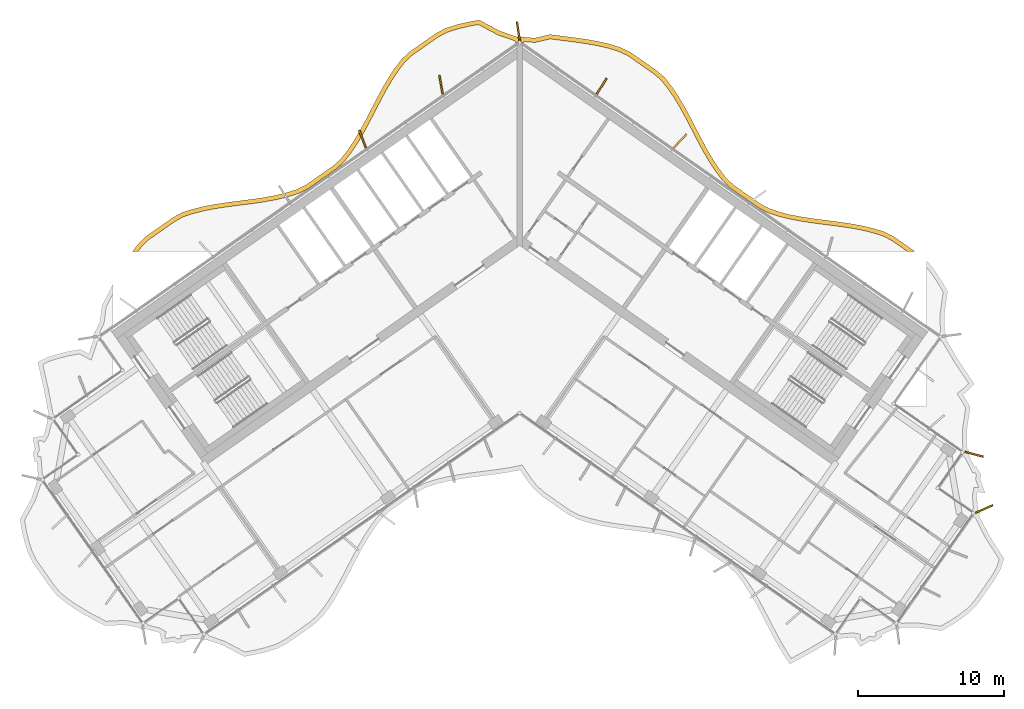
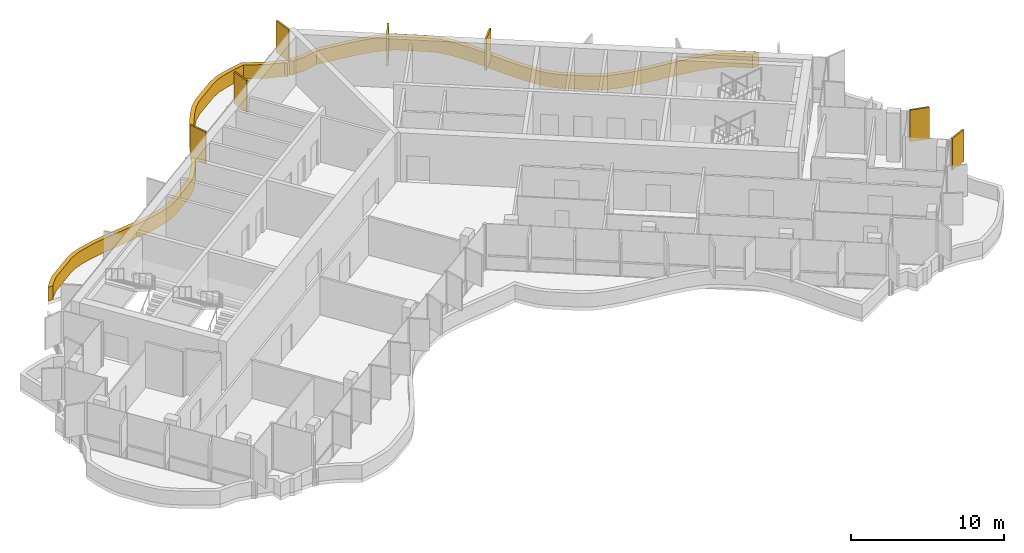
# One storey, part 18 of 18: 8 shading devices.
"""IFC4 building model written with IfcOpenShell, lengths in metres."""

from ifc_helpers import new_model, si_unit, direction, frame, origin, origin_2d, place, context, subcontext, project, spatial, polyline, rectangle, outline, extrude, material, layer, layer_set, type_object, element, save


model = new_model("IFC4")

# Units and contexts
model_context = context("Model", 3, precision=1e-05, world=origin(), true_north=direction((0.0, 1.0)))
body_context = subcontext(model_context, "Body", "Model", "MODEL_VIEW")
ifc_project = project(units=[si_unit("LENGTHUNIT", "METRE"), si_unit("AREAUNIT", "SQUARE_METRE"), si_unit("VOLUMEUNIT", "CUBIC_METRE"), si_unit("PLANEANGLEUNIT", "RADIAN"), si_unit("MASSUNIT", "GRAM", prefix="KILO")], contexts=[model_context])

# Site, building, storey
site_placement = place(None, origin())
site = spatial("IfcSite", under=ifc_project, at=site_placement, CompositionType="ELEMENT")
building_placement = place(site_placement, origin())
building = spatial("IfcBuilding", under=site, at=building_placement, Name="Tel Ilan Convention Tower", CompositionType="ELEMENT")
storey_placement = place(building_placement, frame((0.0, 0.0, 252.699951171875)))
storey = spatial("IfcBuildingStorey", under=building, at=storey_placement, Name="L59", CompositionType="ELEMENT", Elevation=252.699951171875)

# Shading devices
ifc_material_1 = material(Name="Aluminium, bronze anodised", Category="aluminium")
ifc_layer_1 = layer(ifc_material_1, 0.1201171875)
ifc_layer_set_1 = layer_set([ifc_layer_1], Name="FIN BRONZE 1300x120")
shading_device_type_1 = type_object("IfcShadingDeviceType", Name="FIN BRONZE 1300x120", PredefinedType="USERDEFINED", material=ifc_layer_set_1)
for number, where, z_axis, x_axis, name in (
    (1, (10.981201171875, 5.924072265625, 1.10009765625), (0.0, 0.0, 1.0), (0.686241637865, 0.727373641577, 0.0), "FIN"),
    (2, (5.61328125, 9.683349609375, 1.10009765625), (0.0, 0.0, 1.0), (0.533204432798, 0.845986425922, 0.0), "FIN"),
    (3, (-0.09423828125, 13.469482421875, 1.10009765625), (0.0, 0.0, 1.0), (-0.144931859301, 0.989441638582, 0.0), "FIN"),
    (4, (-5.392333984375, 9.791748046875, 1.10009765625), (0.0, 0.0, 1.0), (-0.173648177667, 0.984807753012, 0.0), "FIN"),
    (5, (-10.7724609375, 6.062255859375, 1.10009765625), (0.0, 0.0, 1.0), (-0.360177724803, 0.932883704733, 0.0), "FIN"),
    (6, (31.842529296875, -19.28564453125, 1.10009765625), (0.0, 0.0, 1.0), (0.914332505315, 0.404964282034, 0.0), "FIN"),
    (7, (31.150146484375, -15.536865234375, 1.10009765625), (0.0, 0.0, 1.0), (0.965925826289, -0.258819045103, 0.0), "FIN"),
):
    element("IfcShadingDevice", number, at=place(storey_placement, frame(where, z_axis=z_axis, x_axis=x_axis)), inside=storey, type_object=shading_device_type_1, Name=name, ObjectType="FIN", PredefinedType="USERDEFINED", context=body_context, shape_type="SweptSolid", body=[
        extrude(rectangle(XDim=1.300048828125, YDim=0.1201171875, at=origin_2d()), origin(), (0.0, 0.0, 1.0), 2.52001953125),
    ])
ifc_material_2 = material(Name="Aluminium, bronze anodised", Category="aluminium")
ifc_layer_2 = layer(ifc_material_2, 0.300048828125)
ifc_layer_set_2 = layer_set([ifc_layer_2], Name="LOUVRE BAND 300x1100")
shading_device_type_2 = type_object("IfcShadingDeviceType", Name="LOUVRE BAND 300x1100", PredefinedType="USERDEFINED", material=ifc_layer_set_2)
shading_device_placement = place(storey_placement, origin())
element("IfcShadingDevice", 8, at=shading_device_placement, inside=storey, type_object=shading_device_type_2, Name="LOUVRE BAND 46.02", ObjectType="LOUVRE", PredefinedType="USERDEFINED", context=body_context, shape_type="SweptSolid", body=[
    extrude(outline(polyline([(-26.1787109375, -1.1572265625), (-26.535888671875, -1.631591796875), (-26.160400390625, -1.631591796875), (-25.951416015625, -1.35400390625), (-25.457275390625, -0.856689453125), (-23.680908203125, 0.38720703125), (-23.075439453125, 0.7314453125), (-22.38525390625, 0.962158203125), (-21.640625, 1.14990234375), (-20.86181640625, 1.298828125), (-20.0576171875, 1.420166015625), (-18.409423828125, 1.63232421875), (-17.585205078125, 1.750732421875), (-16.773193359375, 1.89599609375), (-15.982666015625, 2.081298828125), (-15.212646484375, 2.320556640625), (-14.499267578125, 2.665771484375), (-12.656005859375, 3.956298828125), (-12.066162109375, 4.474609375), (-11.566650390625, 5.110107421875), (-11.115234375, 5.78173828125), (-10.696044921875, 6.4892578125), (-10.29931640625, 7.220458984375), (-9.535400390625, 8.69873046875), (-9.148681640625, 9.41796875), (-8.746337890625, 10.106201171875), (-8.320556640625, 10.751220703125), (-7.871337890625, 11.33544921875), (-7.3623046875, 11.813720703125), (-5.585693359375, 13.0576171875), (-4.96826171875, 13.382568359375), (-4.27001953125, 13.607666015625), (-3.520751953125, 13.78955078125), (-2.834228515625, 13.914794921875), (-1.477294921875, 13.19677734375), (-0.362060546875, 12.81201171875), (-0.24609375, 12.646728515625), (0.0, 12.818115234375), (0.24609375, 12.646728515625), (0.318603515625, 12.75), (1.040771484375, 12.687744140625), (2.10400390625, 12.9296875), (3.699462890625, 12.72509765625), (4.510009765625, 12.60986328125), (5.2978515625, 12.47119140625), (6.054443359375, 12.297119140625), (6.765625, 12.080078125), (7.40185546875, 11.785888671875), (9.17822265625, 10.5419921875), (9.708740234375, 10.0908203125), (10.16162109375, 9.521240234375), (10.5927734375, 8.885498046875), (10.9990234375, 8.204833984375), (11.38818359375, 7.49072265625), (12.151123046875, 6.014404296875), (12.54443359375, 5.2802734375), (12.958740234375, 4.567138671875), (13.403076171875, 3.8876953125), (13.891357421875, 3.245849609375), (14.459716796875, 2.693359375), (16.302978515625, 1.40283203125), (16.991455078125, 1.02587890625), (17.759521484375, 0.773681640625), (18.544921875, 0.579345703125), (19.353271484375, 0.42724609375), (20.176025390625, 0.3046875), (21.826416015625, 0.092529296875), (22.634765625, -0.025146484375), (23.4189453125, -0.167724609375), (24.1708984375, -0.34716796875), (24.873291015625, -0.569580078125), (25.496826171875, -0.88427734375), (26.56396484375, -1.631591796875), (27.087158203125, -1.631591796875), (25.6513671875, -0.626220703125), (24.987060546875, -0.290771484375), (24.2509765625, -0.057861328125), (23.480712890625, 0.1259765625), (22.68310546875, 0.27099609375), (21.8671875, 0.3896484375), (20.21728515625, 0.601806640625), (19.4033203125, 0.72314453125), (18.60888671875, 0.87255859375), (17.842529296875, 1.062255859375), (17.111328125, 1.30224609375), (16.46142578125, 1.657958984375), (14.6513671875, 2.92529296875), (14.116455078125, 3.4453125), (13.648193359375, 4.060791015625), (13.214111328125, 4.724609375), (12.806396484375, 5.426513671875), (12.416748046875, 6.154052734375), (11.653076171875, 7.631591796875), (11.259521484375, 8.353515625), (10.845947265625, 9.046875), (10.403564453125, 9.69921875), (9.925537109375, 10.300537109375), (9.36181640625, 10.77978515625), (7.552001953125, 12.047119140625), (6.872802734375, 12.361083984375), (6.132080078125, 12.587158203125), (5.357666015625, 12.765380859375), (4.55712890625, 12.90625), (3.739501953125, 13.0224609375), (2.08935546875, 13.234130859375), (1.02001953125, 12.99072265625), (0.168701171875, 13.059326171875), (0.11474609375, 13.09521484375), (0.0, 13.1181640625), (-0.11474609375, 13.09521484375), (-0.168701171875, 13.059326171875), (-1.357666015625, 13.472900390625), (-2.785888671875, 14.228515625), (-3.5830078125, 14.083251953125), (-4.3515625, 13.896484375), (-5.0849609375, 13.66015625), (-5.7421875, 13.314453125), (-7.552001953125, 12.047119140625), (-8.09423828125, 11.53759765625), (-8.56494140625, 10.925537109375), (-9.001220703125, 10.264404296875), (-9.410400390625, 9.564697265625), (-9.801025390625, 8.838623046875), (-10.564453125, 7.36083984375), (-10.95703125, 6.63720703125), (-11.369140625, 5.94189453125), (-11.809326171875, 5.28662109375), (-12.284912109375, 4.681640625), (-12.841552734375, 4.192626953125), (-14.6513671875, 2.92529296875), (-15.3232421875, 2.6005859375), (-16.0615234375, 2.370849609375), (-16.833984375, 2.18994140625), (-17.6328125, 2.046875), (-18.44970703125, 1.9296875), (-20.099365234375, 1.71728515625), (-20.91259765625, 1.594482421875), (-21.705322265625, 1.44287109375), (-22.4697265625, 1.250244140625), (-23.1982421875, 1.0068359375), (-23.84130859375, 0.64111328125), (-25.6513671875, -0.626220703125), (-26.1787109375, -1.1572265625)])), origin(), (0.0, 0.0, 1.0), 1.10009765625),
])

save(model, "model.ifc")
